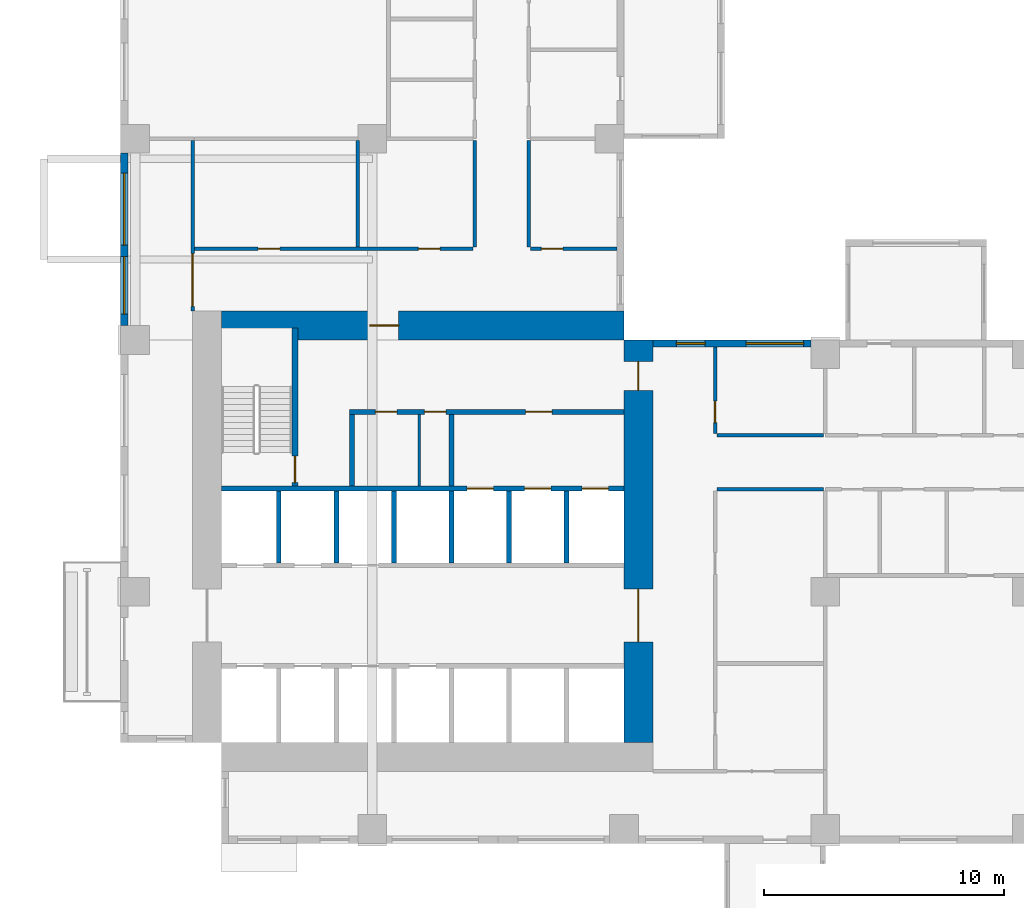
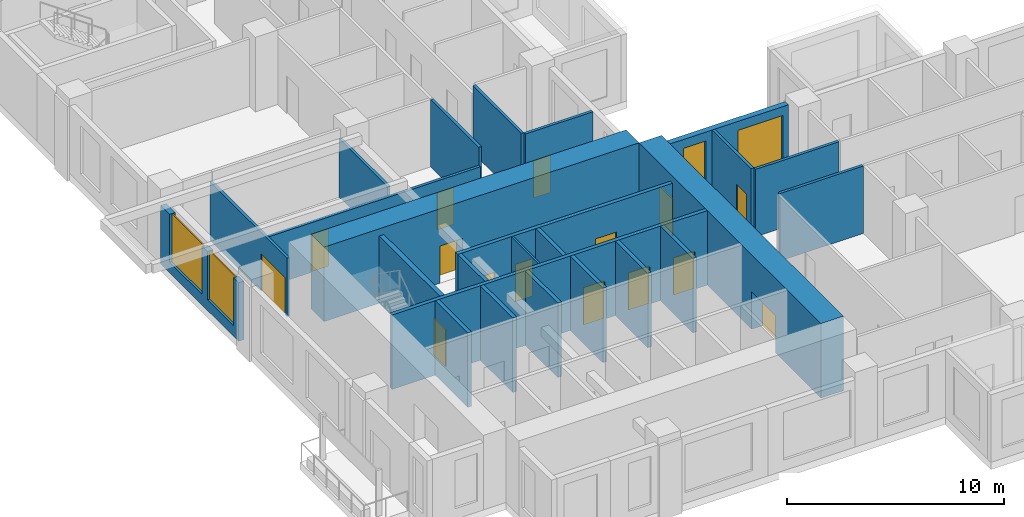
# One storey, part 3 of 15: 25 walls, 15 doors, 4 windows, 19 openings.
"""IFC4 building model written with IfcOpenShell, lengths in metres."""

from ifc_helpers import new_model, si_unit, direction, frame, frame_2d, origin, place, context, subcontext, project, spatial, rectangle, extrude, source, transform, mapped, material, layer, layer_set, type_object, element, fill, save


model = new_model("IFC4")

# Units and contexts
model_context = context("Model", 3, precision=1e-05, world=origin(), true_north=direction((0.0, 1.0)))
body_context = subcontext(model_context, "Body", "Model", "MODEL_VIEW")
ifc_project = project(units=[si_unit("LENGTHUNIT", "METRE"), si_unit("AREAUNIT", "SQUARE_METRE"), si_unit("VOLUMEUNIT", "CUBIC_METRE"), si_unit("PLANEANGLEUNIT", "RADIAN"), si_unit("MASSUNIT", "GRAM", prefix="KILO")], contexts=[model_context])

# Site, building, storey
site_placement = place(None, origin())
site = spatial("IfcSite", under=ifc_project, at=site_placement, CompositionType="ELEMENT")
building_placement = place(site_placement, origin())
building = spatial("IfcBuilding", under=site, at=building_placement, Name="Aurelian Terraces", CompositionType="ELEMENT")
storey_placement = place(building_placement, frame((0.0, 0.0, 82.5)))
storey = spatial("IfcBuildingStorey", under=building, at=storey_placement, Name="L17", CompositionType="ELEMENT", Elevation=82.5)

# Wall, openings, doors
ifc_material_1 = material(Name="Concrete fc' 83 MPa", Category="concrete")
ifc_layer_1 = layer(ifc_material_1, 1.2)
ifc_layer_set_1 = layer_set([ifc_layer_1], Name="CORE WALL 1200 FC83")
wall_type_1 = type_object("IfcWallType", Name="CORE WALL 1200 FC83", PredefinedType="SHEAR", material=ifc_layer_set_1)
shared_shape_1 = source(origin(), body_context, "Body", "SweptSolid", [
    extrude(rectangle(XDim=16.8, YDim=1.2, at=frame_2d((8.4, 0.0))), origin(), (0.0, 0.0, 1.0), 4.2),
])
wall_1_placement = place(storey_placement, frame((21.6, 4.2, 0.0), z_axis=(0.0, 0.0, 1.0), x_axis=(0.0, 1.0, 0.0)))
wall_1 = element("IfcWall", 1, at=wall_1_placement, inside=storey, type_object=wall_type_1, Name="Core wall E L17", PredefinedType="SHEAR", context=body_context, shape_type="MappedRepresentation", body=[
    mapped(shared_shape_1, transform((0.0, 0.0, 0.0), scale=1.0)),
])
shared_shape_2 = source(origin(), body_context, "Body", "SweptSolid", [
    extrude(rectangle(XDim=2.2, YDim=2.1, at=frame_2d((1.1, 1.05))), frame((0.0, 0.61, 0.0), z_axis=(0.0, -1.0, 0.0), x_axis=(1.0, 0.0, 0.0)), (0.0, 0.0, 1.0), 1.22),
])
opening_1_placement = place(wall_1_placement, frame((4.2, 0.0, 0.0)))
opening_1 = element("IfcOpeningElement", 2, at=opening_1_placement, cuts=wall_1, Name="Opening 62020", PredefinedType="OPENING", context=body_context, shape_type="MappedRepresentation", body=[
    mapped(shared_shape_2, transform((0.0, 0.0, 0.0), scale=1.0)),
])
shared_shape_3 = source(origin(), body_context, "Body", "SweptSolid", [
    extrude(rectangle(XDim=1.2, YDim=2.1, at=frame_2d((0.6, 1.05))), frame((0.0, 0.61, 0.0), z_axis=(0.0, -1.0, 0.0), x_axis=(1.0, 0.0, 0.0)), (0.0, 0.0, 1.0), 1.22),
])
opening_2_placement = place(wall_1_placement, frame((14.7, 0.0, 0.0)))
opening_2 = element("IfcOpeningElement", 3, at=opening_2_placement, cuts=wall_1, Name="Opening 62023", PredefinedType="OPENING", context=body_context, shape_type="MappedRepresentation", body=[
    mapped(shared_shape_3, transform((0.0, 0.0, 0.0), scale=1.0)),
])
ifc_material_2 = material(Name="Steel door leaf", Category="steel")
door_type_1 = type_object("IfcDoorType", Name="Core fire door 1200x2100 right", OperationType="SINGLE_SWING_RIGHT", PredefinedType="DOOR", material=ifc_material_2)
shared_shape_4 = source(origin(), body_context, "Body", "SweptSolid", [
    extrude(rectangle(XDim=1.2, YDim=2.1, at=frame_2d((0.6, 1.05))), frame((0.0, 0.025, 0.0), z_axis=(0.0, -1.0, 0.0), x_axis=(1.0, 0.0, 0.0)), (0.0, 0.0, 1.0), 0.05),
])
door_1_placement = place(opening_2_placement, origin())
door_1 = element("IfcDoor", 4, at=door_1_placement, inside=storey, type_object=door_type_1, Name="Core door 62023", OperationType="SINGLE_SWING_RIGHT", OverallHeight=2.1, OverallWidth=1.2, PredefinedType="DOOR", context=body_context, shape_type="MappedRepresentation", body=[
    mapped(shared_shape_4, transform((0.0, 0.0, 0.0), scale=1.0)),
])
fill(opening_2, door_1)
door_type_2 = type_object("IfcDoorType", Name="Core double door 2200x2100", OperationType="DOUBLE_DOOR_SINGLE_SWING", PredefinedType="DOOR", material=ifc_material_2)
shared_shape_5 = source(origin(), body_context, "Body", "SweptSolid", [
    extrude(rectangle(XDim=2.2, YDim=2.1, at=frame_2d((1.1, 1.05))), frame((0.0, 0.025, 0.0), z_axis=(0.0, -1.0, 0.0), x_axis=(1.0, 0.0, 0.0)), (0.0, 0.0, 1.0), 0.05),
])
door_2_placement = place(opening_1_placement, origin())
door_2 = element("IfcDoor", 5, at=door_2_placement, inside=storey, type_object=door_type_2, Name="Core door 62020", OperationType="DOUBLE_DOOR_SINGLE_SWING", OverallHeight=2.1, OverallWidth=2.2, PredefinedType="DOOR", context=body_context, shape_type="MappedRepresentation", body=[
    mapped(shared_shape_5, transform((0.0, 0.0, 0.0), scale=1.0)),
])
fill(opening_1, door_2)

# Wall, opening, door
wall_2_placement = place(storey_placement, frame((4.2, 21.6, 0.0), z_axis=(0.0, 0.0, 1.0), x_axis=(1.0, 0.0, 0.0)))
wall_2 = element("IfcWall", 6, at=wall_2_placement, inside=storey, type_object=wall_type_1, Name="Core wall N L17", PredefinedType="SHEAR", context=body_context, shape_type="MappedRepresentation", body=[
    mapped(shared_shape_1, transform((0.0, 0.0, 0.0), scale=1.0)),
])
opening_3_placement = place(wall_2_placement, frame((6.2, 0.0, 0.0)))
opening_3 = element("IfcOpeningElement", 7, at=opening_3_placement, cuts=wall_2, Name="Opening 62022", PredefinedType="OPENING", context=body_context, shape_type="MappedRepresentation", body=[
    mapped(shared_shape_3, transform((0.0, 0.0, 0.0), scale=1.0)),
])
door_type_3 = type_object("IfcDoorType", Name="Core fire door 1200x2100", OperationType="SINGLE_SWING_LEFT", PredefinedType="DOOR", material=ifc_material_2)
door_3_placement = place(opening_3_placement, origin())
door_3 = element("IfcDoor", 8, at=door_3_placement, inside=storey, type_object=door_type_3, Name="Core door 62022", OperationType="SINGLE_SWING_LEFT", OverallHeight=2.1, OverallWidth=1.2, PredefinedType="DOOR", context=body_context, shape_type="MappedRepresentation", body=[
    mapped(shared_shape_4, transform((0.0, 0.0, 0.0), scale=1.0)),
])
fill(opening_3, door_3)

# Wall, openings, windows
ifc_material_3 = material(Name="Terracotta rainscreen cladding", Category="masonry")
ifc_layer_2 = layer(ifc_material_3, 0.3)
ifc_layer_set_2 = layer_set([ifc_layer_2], Name="EW-300")
wall_type_2 = type_object("IfcWallType", Name="EW-300", PredefinedType="STANDARD", material=ifc_layer_set_2)
shared_shape_6 = source(origin(), body_context, "Body", "SweptSolid", [
    extrude(rectangle(XDim=7.2, YDim=0.3, at=frame_2d((3.6, 0.0))), origin(), (0.0, 0.0, 1.0), 3.3),
])
wall_3_placement = place(storey_placement, frame((0.15, 28.8, 0.0), z_axis=(0.0, 0.0, 1.0), x_axis=(0.0, -1.0, 0.0)))
wall_3 = element("IfcWall", 9, at=wall_3_placement, inside=storey, type_object=wall_type_2, Name="External wall L17 F14.33", PredefinedType="STANDARD", context=body_context, shape_type="MappedRepresentation", body=[
    mapped(shared_shape_6, transform((0.0, 0.0, 0.0), scale=1.0)),
])
shared_shape_7 = source(origin(), body_context, "Body", "SweptSolid", [
    extrude(rectangle(XDim=3.0, YDim=2.7, at=frame_2d((1.5, 1.35))), frame((0.0, 0.16, 0.0), z_axis=(0.0, -1.0, 0.0), x_axis=(1.0, 0.0, 0.0)), (0.0, 0.0, 1.0), 0.32),
])
opening_4_placement = place(wall_3_placement, frame((0.84, 0.0, 0.6)))
opening_4 = element("IfcOpeningElement", 10, at=opening_4_placement, cuts=wall_3, Name="Opening W3027", PredefinedType="OPENING", context=body_context, shape_type="MappedRepresentation", body=[
    mapped(shared_shape_7, transform((0.0, 0.0, 0.0), scale=1.0)),
])
shared_shape_8 = source(origin(), body_context, "Body", "SweptSolid", [
    extrude(rectangle(XDim=2.4, YDim=2.7, at=frame_2d((1.2, 1.35))), frame((0.0, 0.16, 0.0), z_axis=(0.0, -1.0, 0.0), x_axis=(1.0, 0.0, 0.0)), (0.0, 0.0, 1.0), 0.32),
])
opening_5_placement = place(wall_3_placement, frame((4.32, 0.0, 0.6)))
opening_5 = element("IfcOpeningElement", 11, at=opening_5_placement, cuts=wall_3, Name="Opening W2427", PredefinedType="OPENING", context=body_context, shape_type="MappedRepresentation", body=[
    mapped(shared_shape_8, transform((0.0, 0.0, 0.0), scale=1.0)),
])
ifc_material_4 = material(Name="Clear glazing", Category="glass")
window_type_1 = type_object("IfcWindowType", Name="W-2400x2700", PartitioningType="SINGLE_PANEL", PredefinedType="WINDOW", material=ifc_material_4)
shared_shape_9 = source(origin(), body_context, "Body", "SweptSolid", [
    extrude(rectangle(XDim=2.4, YDim=2.7, at=frame_2d((1.2, 1.35))), frame((0.0, 0.03, 0.0), z_axis=(0.0, -1.0, 0.0), x_axis=(1.0, 0.0, 0.0)), (0.0, 0.0, 1.0), 0.06),
])
window_1_placement = place(opening_5_placement, origin())
window_1 = element("IfcWindow", 12, at=window_1_placement, inside=storey, type_object=window_type_1, Name="Window L17 L17-F14-33-G6-288", OverallHeight=2.7, OverallWidth=2.4, PartitioningType="SINGLE_PANEL", PredefinedType="WINDOW", context=body_context, shape_type="MappedRepresentation", body=[
    mapped(shared_shape_9, transform((0.0, 0.0, 0.0), scale=1.0)),
])
fill(opening_5, window_1)
window_type_2 = type_object("IfcWindowType", Name="W-3000x2700", PartitioningType="SINGLE_PANEL", PredefinedType="WINDOW", material=ifc_material_4)
shared_shape_10 = source(origin(), body_context, "Body", "SweptSolid", [
    extrude(rectangle(XDim=3.0, YDim=2.7, at=frame_2d((1.5, 1.35))), frame((0.0, 0.03, 0.0), z_axis=(0.0, -1.0, 0.0), x_axis=(1.0, 0.0, 0.0)), (0.0, 0.0, 1.0), 0.06),
])
window_2_placement = place(opening_4_placement, origin())
window_2 = element("IfcWindow", 13, at=window_2_placement, inside=storey, type_object=window_type_2, Name="Window L17 L17-F14-33-6", OverallHeight=2.7, OverallWidth=3.0, PartitioningType="SINGLE_PANEL", PredefinedType="WINDOW", context=body_context, shape_type="MappedRepresentation", body=[
    mapped(shared_shape_10, transform((0.0, 0.0, 0.0), scale=1.0)),
])
fill(opening_4, window_2)

shared_shape_11 = source(origin(), body_context, "Body", "SweptSolid", [
    extrude(rectangle(XDim=6.6, YDim=0.3, at=frame_2d((3.3, 0.0))), origin(), (0.0, 0.0, 1.0), 3.8),
])
wall_4_placement = place(storey_placement, frame((28.8, 20.85, 0.0), z_axis=(0.0, 0.0, 1.0), x_axis=(-1.0, 0.0, 0.0)))
wall_4 = element("IfcWall", 14, at=wall_4_placement, inside=storey, type_object=wall_type_2, Name="External wall L17 F07.21", PredefinedType="STANDARD", context=body_context, shape_type="MappedRepresentation", body=[
    mapped(shared_shape_11, transform((0.0, 0.0, 0.0), scale=1.0)),
])
opening_6_placement = place(wall_4_placement, frame((0.3, 0.0, 0.6)))
opening_6 = element("IfcOpeningElement", 15, at=opening_6_placement, cuts=wall_4, Name="Opening W2427", PredefinedType="OPENING", context=body_context, shape_type="MappedRepresentation", body=[
    mapped(shared_shape_8, transform((0.0, 0.0, 0.0), scale=1.0)),
])
shared_shape_12 = source(origin(), body_context, "Body", "SweptSolid", [
    extrude(rectangle(XDim=1.2, YDim=2.7, at=frame_2d((0.6, 1.35))), frame((0.0, 0.16, 0.0), z_axis=(0.0, -1.0, 0.0), x_axis=(1.0, 0.0, 0.0)), (0.0, 0.0, 1.0), 0.32),
])
opening_7_placement = place(wall_4_placement, frame((4.4125, 0.0, 0.6)))
opening_7 = element("IfcOpeningElement", 16, at=opening_7_placement, cuts=wall_4, Name="Opening W1227", PredefinedType="OPENING", context=body_context, shape_type="MappedRepresentation", body=[
    mapped(shared_shape_12, transform((0.0, 0.0, 0.0), scale=1.0)),
])
window_3_placement = place(opening_6_placement, origin())
window_3 = element("IfcWindow", 17, at=window_3_placement, inside=storey, type_object=window_type_1, Name="Window L17 L17-F07-21-3", OverallHeight=2.7, OverallWidth=2.4, PartitioningType="SINGLE_PANEL", PredefinedType="WINDOW", context=body_context, shape_type="MappedRepresentation", body=[
    mapped(shared_shape_9, transform((0.0, 0.0, 0.0), scale=1.0)),
])
fill(opening_6, window_3)
window_type_3 = type_object("IfcWindowType", Name="W-1200x2700", PartitioningType="SINGLE_PANEL", PredefinedType="WINDOW", material=ifc_material_4)
shared_shape_13 = source(origin(), body_context, "Body", "SweptSolid", [
    extrude(rectangle(XDim=1.2, YDim=2.7, at=frame_2d((0.6, 1.35))), frame((0.0, 0.03, 0.0), z_axis=(0.0, -1.0, 0.0), x_axis=(1.0, 0.0, 0.0)), (0.0, 0.0, 1.0), 0.06),
])
window_4_placement = place(opening_7_placement, origin())
window_4 = element("IfcWindow", 18, at=window_4_placement, inside=storey, type_object=window_type_3, Name="Window L17 L17-F07-21-G2-201", OverallHeight=2.7, OverallWidth=1.2, PartitioningType="SINGLE_PANEL", PredefinedType="WINDOW", context=body_context, shape_type="MappedRepresentation", body=[
    mapped(shared_shape_13, transform((0.0, 0.0, 0.0), scale=1.0)),
])
fill(opening_7, window_4)

# Walls
ifc_material_5 = material(Name="Concrete fc' 40 MPa", Category="concrete")
ifc_layer_3 = layer(ifc_material_5, 0.2)
ifc_layer_set_3 = layer_set([ifc_layer_3], Name="Lift shaft wall 200")
wall_type_3 = type_object("IfcWallType", Name="Lift shaft wall 200", PredefinedType="SOLIDWALL", material=ifc_layer_set_3)
shared_shape_14 = source(origin(), body_context, "Body", "SweptSolid", [
    extrude(rectangle(XDim=3.0, YDim=0.2, at=frame_2d((1.5, 0.0))), origin(), (0.0, 0.0, 1.0), 4.2),
])
for number, where, z_axis, x_axis, name in (
    (19, (6.6, 11.7, 0.0), (0.0, 0.0, 1.0), (0.0, 1.0, 0.0), "L17 core wall CD-B1"),
    (20, (9.0, 11.7, 0.0), (0.0, 0.0, 1.0), (0.0, 1.0, 0.0), "L17 core wall CD-B2"),
    (21, (11.4, 11.7, 0.0), (0.0, 0.0, 1.0), (0.0, 1.0, 0.0), "L17 core wall CD-B3"),
    (22, (13.8, 11.7, 0.0), (0.0, 0.0, 1.0), (0.0, 1.0, 0.0), "L17 core wall CD-B4"),
    (23, (16.2, 11.7, 0.0), (0.0, 0.0, 1.0), (0.0, 1.0, 0.0), "L17 core wall CD-B5"),
    (24, (18.6, 11.7, 0.0), (0.0, 0.0, 1.0), (0.0, 1.0, 0.0), "L17 core wall CD-B6"),
):
    element("IfcWall", number, at=place(storey_placement, frame(where, z_axis=z_axis, x_axis=x_axis)), inside=storey, type_object=wall_type_3, Name=name, PredefinedType="SOLIDWALL", context=body_context, shape_type="MappedRepresentation", body=[
        mapped(shared_shape_14, transform((0.0, 0.0, 0.0), scale=1.0)),
    ])

# Wall, openings, doors
shared_shape_15 = source(origin(), body_context, "Body", "SweptSolid", [
    extrude(rectangle(XDim=16.8, YDim=0.2, at=frame_2d((8.4, 0.0))), origin(), (0.0, 0.0, 1.0), 4.2),
])
wall_5_placement = place(storey_placement, frame((4.2, 14.8, 0.0), z_axis=(0.0, 0.0, 1.0), x_axis=(1.0, 0.0, 0.0)))
wall_5 = element("IfcWall", 25, at=wall_5_placement, inside=storey, type_object=wall_type_3, Name="L17 core wall CF-BB1", PredefinedType="SOLIDWALL", context=body_context, shape_type="MappedRepresentation", body=[
    mapped(shared_shape_15, transform((0.0, 0.0, 0.0), scale=1.0)),
])
shared_shape_16 = source(origin(), body_context, "Body", "SweptSolid", [
    extrude(rectangle(XDim=1.1, YDim=2.1, at=frame_2d((0.55, 1.05))), frame((0.0, 0.11, 0.0), z_axis=(0.0, -1.0, 0.0), x_axis=(1.0, 0.0, 0.0)), (0.0, 0.0, 1.0), 0.22),
])
opening_8_placement = place(wall_5_placement, frame((10.25, 0.0, 0.0)))
opening_8 = element("IfcOpeningElement", 26, at=opening_8_placement, cuts=wall_5, Name="Opening 62007", PredefinedType="OPENING", context=body_context, shape_type="MappedRepresentation", body=[
    mapped(shared_shape_16, transform((0.0, 0.0, 0.0), scale=1.0)),
])
opening_9_placement = place(wall_5_placement, frame((12.65, 0.0, 0.0)))
opening_9 = element("IfcOpeningElement", 27, at=opening_9_placement, cuts=wall_5, Name="Opening 62008", PredefinedType="OPENING", context=body_context, shape_type="MappedRepresentation", body=[
    mapped(shared_shape_16, transform((0.0, 0.0, 0.0), scale=1.0)),
])
opening_10_placement = place(wall_5_placement, frame((15.05, 0.0, 0.0)))
opening_10 = element("IfcOpeningElement", 28, at=opening_10_placement, cuts=wall_5, Name="Opening 62009", PredefinedType="OPENING", context=body_context, shape_type="MappedRepresentation", body=[
    mapped(shared_shape_16, transform((0.0, 0.0, 0.0), scale=1.0)),
])
ifc_material_6 = material(Name="Stainless steel", Category="steel")
door_type_4 = type_object("IfcDoorType", Name="Lift landing door 1100x2100", OperationType="SLIDING_TO_LEFT", PredefinedType="DOOR", material=ifc_material_6)
shared_shape_17 = source(origin(), body_context, "Body", "SweptSolid", [
    extrude(rectangle(XDim=1.1, YDim=2.1, at=frame_2d((0.55, 1.05))), frame((0.0, 0.025, 0.0), z_axis=(0.0, -1.0, 0.0), x_axis=(1.0, 0.0, 0.0)), (0.0, 0.0, 1.0), 0.05),
])
door_4_placement = place(opening_8_placement, origin())
door_4 = element("IfcDoor", 29, at=door_4_placement, inside=storey, type_object=door_type_4, Name="Lift landing door F1 L17", OperationType="SLIDING_TO_LEFT", OverallHeight=2.1, OverallWidth=1.1, PredefinedType="DOOR", context=body_context, shape_type="MappedRepresentation", body=[
    mapped(shared_shape_17, transform((0.0, 0.0, 0.0), scale=1.0)),
])
fill(opening_8, door_4)
door_5_placement = place(opening_9_placement, origin())
door_5 = element("IfcDoor", 30, at=door_5_placement, inside=storey, type_object=door_type_4, Name="Lift landing door F2 L17", OperationType="SLIDING_TO_LEFT", OverallHeight=2.1, OverallWidth=1.1, PredefinedType="DOOR", context=body_context, shape_type="MappedRepresentation", body=[
    mapped(shared_shape_17, transform((0.0, 0.0, 0.0), scale=1.0)),
])
fill(opening_9, door_5)
door_6_placement = place(opening_10_placement, origin())
door_6 = element("IfcDoor", 31, at=door_6_placement, inside=storey, type_object=door_type_4, Name="Lift landing door F3 L17", OperationType="SLIDING_TO_LEFT", OverallHeight=2.1, OverallWidth=1.1, PredefinedType="DOOR", context=body_context, shape_type="MappedRepresentation", body=[
    mapped(shared_shape_17, transform((0.0, 0.0, 0.0), scale=1.0)),
])
fill(opening_10, door_6)

# Walls
ifc_material_7 = material(Name="Gypsum board on steel studs", Category="steel")
ifc_layer_4 = layer(ifc_material_7, 0.2)
ifc_layer_set_4 = layer_set([ifc_layer_4], Name="Core partition 200")
wall_type_4 = type_object("IfcWallType", Name="Core partition 200", PredefinedType="PARTITIONING", material=ifc_layer_set_4)
shared_shape_18 = source(origin(), body_context, "Body", "SweptSolid", [
    extrude(rectangle(XDim=3.0, YDim=0.2, at=frame_2d((1.5, 0.0))), origin(), (0.0, 0.0, 1.0), 3.8),
])
for number, where, z_axis, x_axis, name in (
    (32, (9.65, 14.9, 0.0), (0.0, 0.0, 1.0), (0.0, 1.0, 0.0), "L17 core wall CP-VEST"),
    (33, (13.8, 14.9, 0.0), (0.0, 0.0, 1.0), (0.0, 1.0, 0.0), "L17 core wall CP-FFL"),
):
    element("IfcWall", number, at=place(storey_placement, frame(where, z_axis=z_axis, x_axis=x_axis)), inside=storey, type_object=wall_type_4, Name=name, PredefinedType="PARTITIONING", context=body_context, shape_type="MappedRepresentation", body=[
        mapped(shared_shape_18, transform((0.0, 0.0, 0.0), scale=1.0)),
    ])
ifc_layer_5 = layer(ifc_material_7, 0.1)
ifc_layer_set_5 = layer_set([ifc_layer_5], Name="Core partition 100")
wall_type_5 = type_object("IfcWallType", Name="Core partition 100", PredefinedType="PARTITIONING", material=ifc_layer_set_5)
shared_shape_19 = source(origin(), body_context, "Body", "SweptSolid", [
    extrude(rectangle(XDim=3.0, YDim=0.1, at=frame_2d((1.5, 0.0))), origin(), (0.0, 0.0, 1.0), 3.8),
])
wall_6_placement = place(storey_placement, frame((12.45, 14.9, 0.0), z_axis=(0.0, 0.0, 1.0), x_axis=(0.0, 1.0, 0.0)))
element("IfcWall", 34, at=wall_6_placement, inside=storey, type_object=wall_type_5, Name="L17 core wall CP-SV1", PredefinedType="PARTITIONING", context=body_context, shape_type="MappedRepresentation", body=[
    mapped(shared_shape_19, transform((0.0, 0.0, 0.0), scale=1.0)),
])

# Wall, opening, door
ifc_layer_6 = layer(ifc_material_5, 0.25)
ifc_layer_set_6 = layer_set([ifc_layer_6], Name="Stair enclosure wall 250")
wall_type_6 = type_object("IfcWallType", Name="Stair enclosure wall 250", PredefinedType="SOLIDWALL", material=ifc_layer_set_6)
shared_shape_20 = source(origin(), body_context, "Body", "SweptSolid", [
    extrude(rectangle(XDim=6.6, YDim=0.25, at=frame_2d((3.3, 0.0))), origin(), (0.0, 0.0, 1.0), 3.8),
])
wall_7_placement = place(storey_placement, frame((7.275, 14.9, 0.0), z_axis=(0.0, 0.0, 1.0), x_axis=(0.0, 1.0, 0.0)))
wall_7 = element("IfcWall", 35, at=wall_7_placement, inside=storey, type_object=wall_type_6, Name="L17 core wall ST-S1-E", PredefinedType="SOLIDWALL", context=body_context, shape_type="MappedRepresentation", body=[
    mapped(shared_shape_20, transform((0.0, 0.0, 0.0), scale=1.0)),
])
shared_shape_21 = source(origin(), body_context, "Body", "SweptSolid", [
    extrude(rectangle(XDim=1.1, YDim=2.1, at=frame_2d((0.55, 1.05))), frame((0.0, 0.135, 0.0), z_axis=(0.0, -1.0, 0.0), x_axis=(1.0, 0.0, 0.0)), (0.0, 0.0, 1.0), 0.27),
])
opening_11_placement = place(wall_7_placement, frame((0.15, 0.0, 0.0)))
opening_11 = element("IfcOpeningElement", 36, at=opening_11_placement, cuts=wall_7, Name="Opening 62010", PredefinedType="OPENING", context=body_context, shape_type="MappedRepresentation", body=[
    mapped(shared_shape_21, transform((0.0, 0.0, 0.0), scale=1.0)),
])
door_type_5 = type_object("IfcDoorType", Name="Core fire door 1100x2100", OperationType="SINGLE_SWING_LEFT", PredefinedType="DOOR", material=ifc_material_2)
door_7_placement = place(opening_11_placement, origin())
door_7 = element("IfcDoor", 37, at=door_7_placement, inside=storey, type_object=door_type_5, Name="Stair door 62010", OperationType="SINGLE_SWING_LEFT", OverallHeight=2.1, OverallWidth=1.1, PredefinedType="DOOR", context=body_context, shape_type="MappedRepresentation", body=[
    mapped(shared_shape_17, transform((0.0, 0.0, 0.0), scale=1.0)),
])
fill(opening_11, door_7)

# Wall, openings, doors
shared_shape_22 = source(origin(), body_context, "Body", "SweptSolid", [
    extrude(rectangle(XDim=11.45, YDim=0.2, at=frame_2d((5.725, 0.0))), origin(), (0.0, 0.0, 1.0), 3.8),
])
wall_8_placement = place(storey_placement, frame((9.55, 18.0, 0.0), z_axis=(0.0, 0.0, 1.0), x_axis=(1.0, 0.0, 0.0)))
wall_8 = element("IfcWall", 38, at=wall_8_placement, inside=storey, type_object=wall_type_4, Name="L17 core wall CP-NORTH", PredefinedType="PARTITIONING", context=body_context, shape_type="MappedRepresentation", body=[
    mapped(shared_shape_22, transform((0.0, 0.0, 0.0), scale=1.0)),
])
shared_shape_23 = source(origin(), body_context, "Body", "SweptSolid", [
    extrude(rectangle(XDim=0.9, YDim=2.1, at=frame_2d((0.45, 1.05))), frame((0.0, 0.11, 0.0), z_axis=(0.0, -1.0, 0.0), x_axis=(1.0, 0.0, 0.0)), (0.0, 0.0, 1.0), 0.22),
])
opening_12_placement = place(wall_8_placement, frame((1.075, 0.0, 0.0)))
opening_12 = element("IfcOpeningElement", 39, at=opening_12_placement, cuts=wall_8, Name="Opening 62011", PredefinedType="OPENING", context=body_context, shape_type="MappedRepresentation", body=[
    mapped(shared_shape_23, transform((0.0, 0.0, 0.0), scale=1.0)),
])
opening_13_placement = place(wall_8_placement, frame((3.125, 0.0, 0.0)))
opening_13 = element("IfcOpeningElement", 40, at=opening_13_placement, cuts=wall_8, Name="Opening 62012", PredefinedType="OPENING", context=body_context, shape_type="MappedRepresentation", body=[
    mapped(shared_shape_23, transform((0.0, 0.0, 0.0), scale=1.0)),
])
opening_14_placement = place(wall_8_placement, frame((7.35, 0.0, 0.0)))
opening_14 = element("IfcOpeningElement", 41, at=opening_14_placement, cuts=wall_8, Name="Opening 62013", PredefinedType="OPENING", context=body_context, shape_type="MappedRepresentation", body=[
    mapped(shared_shape_16, transform((0.0, 0.0, 0.0), scale=1.0)),
])
door_type_6 = type_object("IfcDoorType", Name="Core service door 900x2100 right", OperationType="SINGLE_SWING_RIGHT", PredefinedType="DOOR", material=ifc_material_2)
shared_shape_24 = source(origin(), body_context, "Body", "SweptSolid", [
    extrude(rectangle(XDim=0.9, YDim=2.1, at=frame_2d((0.45, 1.05))), frame((0.0, 0.025, 0.0), z_axis=(0.0, -1.0, 0.0), x_axis=(1.0, 0.0, 0.0)), (0.0, 0.0, 1.0), 0.05),
])
door_8_placement = place(opening_12_placement, origin())
door_8 = element("IfcDoor", 42, at=door_8_placement, inside=storey, type_object=door_type_6, Name="Room door 62011", OperationType="SINGLE_SWING_RIGHT", OverallHeight=2.1, OverallWidth=0.9, PredefinedType="DOOR", context=body_context, shape_type="MappedRepresentation", body=[
    mapped(shared_shape_24, transform((0.0, 0.0, 0.0), scale=1.0)),
])
fill(opening_12, door_8)
door_type_7 = type_object("IfcDoorType", Name="Core riser door 900x2100", OperationType="SINGLE_SWING_LEFT", PredefinedType="DOOR", material=ifc_material_2)
door_9_placement = place(opening_13_placement, origin())
door_9 = element("IfcDoor", 43, at=door_9_placement, inside=storey, type_object=door_type_7, Name="Room door 62012", OperationType="SINGLE_SWING_LEFT", OverallHeight=2.1, OverallWidth=0.9, PredefinedType="DOOR", context=body_context, shape_type="MappedRepresentation", body=[
    mapped(shared_shape_24, transform((0.0, 0.0, 0.0), scale=1.0)),
])
fill(opening_13, door_9)
door_type_8 = type_object("IfcDoorType", Name="Core fire door 1100x2100 right", OperationType="SINGLE_SWING_RIGHT", PredefinedType="DOOR", material=ifc_material_2)
door_10_placement = place(opening_14_placement, origin())
door_10 = element("IfcDoor", 44, at=door_10_placement, inside=storey, type_object=door_type_8, Name="Ff lobby door 62013", OperationType="SINGLE_SWING_RIGHT", OverallHeight=2.1, OverallWidth=1.1, PredefinedType="DOOR", context=body_context, shape_type="MappedRepresentation", body=[
    mapped(shared_shape_17, transform((0.0, 0.0, 0.0), scale=1.0)),
])
fill(opening_14, door_10)

# Wall, opening, door
ifc_layer_7 = layer(ifc_material_7, 0.15)
ifc_layer_set_7 = layer_set([ifc_layer_7], Name="Partition 150")
wall_type_7 = type_object("IfcWallType", Name="Partition 150", PredefinedType="PARTITIONING", material=ifc_layer_set_7)
shared_shape_25 = source(origin(), body_context, "Body", "SweptSolid", [
    extrude(rectangle(XDim=3.6, YDim=0.15, at=frame_2d((1.8, 0.0))), origin(), (0.0, 0.0, 1.0), 3.8),
])
wall_9_placement = place(storey_placement, frame((24.8, 20.7, 0.0), z_axis=(0.0, 0.0, 1.0), x_axis=(0.0, -1.0, 0.0)))
wall_9 = element("IfcWall", 45, at=wall_9_placement, inside=storey, type_object=wall_type_7, Name="Partition", PredefinedType="PARTITIONING", context=body_context, shape_type="MappedRepresentation", body=[
    mapped(shared_shape_25, transform((0.0, 0.0, 0.0), scale=1.0)),
])
shared_shape_26 = source(origin(), body_context, "Body", "SweptSolid", [
    extrude(rectangle(XDim=0.9, YDim=2.1, at=frame_2d((0.45, 1.05))), frame((0.0, 0.085, 0.0), z_axis=(0.0, -1.0, 0.0), x_axis=(1.0, 0.0, 0.0)), (0.0, 0.0, 1.0), 0.17),
])
opening_15_placement = place(wall_9_placement, frame((2.25, 0.0, 0.0)))
opening_15 = element("IfcOpeningElement", 46, at=opening_15_placement, cuts=wall_9, Name="Opening 717003", PredefinedType="OPENING", context=body_context, shape_type="MappedRepresentation", body=[
    mapped(shared_shape_26, transform((0.0, 0.0, 0.0), scale=1.0)),
])
ifc_material_8 = material(Name="Timber door leaf", Category="wood")
door_type_9 = type_object("IfcDoorType", Name="Room door 900x2100 right", OperationType="SINGLE_SWING_RIGHT", PredefinedType="DOOR", material=ifc_material_8)
door_11_placement = place(opening_15_placement, origin())
door_11 = element("IfcDoor", 47, at=door_11_placement, inside=storey, type_object=door_type_9, Name="Door 717003", OperationType="SINGLE_SWING_RIGHT", OverallHeight=2.1, OverallWidth=0.9, PredefinedType="DOOR", context=body_context, shape_type="MappedRepresentation", body=[
    mapped(shared_shape_24, transform((0.0, 0.0, 0.0), scale=1.0)),
])
fill(opening_15, door_11)

wall_10_placement = place(storey_placement, frame((17.1, 24.8, 0.0), z_axis=(0.0, 0.0, 1.0), x_axis=(1.0, 0.0, 0.0)))
wall_10 = element("IfcWall", 48, at=wall_10_placement, inside=storey, type_object=wall_type_7, Name="Partition", PredefinedType="PARTITIONING", context=body_context, shape_type="MappedRepresentation", body=[
    mapped(shared_shape_25, transform((0.0, 0.0, 0.0), scale=1.0)),
])
opening_16_placement = place(wall_10_placement, frame((0.45, 0.0, 0.0)))
opening_16 = element("IfcOpeningElement", 49, at=opening_16_placement, cuts=wall_10, Name="Opening 717030", PredefinedType="OPENING", context=body_context, shape_type="MappedRepresentation", body=[
    mapped(shared_shape_26, transform((0.0, 0.0, 0.0), scale=1.0)),
])
door_12_placement = place(opening_16_placement, origin())
door_12 = element("IfcDoor", 50, at=door_12_placement, inside=storey, type_object=door_type_9, Name="Door 717030", OperationType="SINGLE_SWING_RIGHT", OverallHeight=2.1, OverallWidth=0.9, PredefinedType="DOOR", context=body_context, shape_type="MappedRepresentation", body=[
    mapped(shared_shape_24, transform((0.0, 0.0, 0.0), scale=1.0)),
])
fill(opening_16, door_12)

shared_shape_27 = source(origin(), body_context, "Body", "SweptSolid", [
    extrude(rectangle(XDim=7.125, YDim=0.15, at=frame_2d((3.5625, 0.0))), origin(), (0.0, 0.0, 1.0), 3.3),
])
wall_11_placement = place(storey_placement, frame((3.0, 29.325, 0.0), z_axis=(0.0, 0.0, 1.0), x_axis=(0.0, -1.0, 0.0)))
wall_11 = element("IfcWall", 51, at=wall_11_placement, inside=storey, type_object=wall_type_7, Name="Partition", PredefinedType="PARTITIONING", context=body_context, shape_type="MappedRepresentation", body=[
    mapped(shared_shape_27, transform((0.0, 0.0, 0.0), scale=1.0)),
])
shared_shape_28 = source(origin(), body_context, "Body", "SweptSolid", [
    extrude(rectangle(XDim=2.2, YDim=2.1, at=frame_2d((1.1, 1.05))), frame((0.0, 0.085, 0.0), z_axis=(0.0, -1.0, 0.0), x_axis=(1.0, 0.0, 0.0)), (0.0, 0.0, 1.0), 0.17),
])
opening_17_placement = place(wall_11_placement, frame((4.725, 0.0, 0.0)))
opening_17 = element("IfcOpeningElement", 52, at=opening_17_placement, cuts=wall_11, Name="Opening 717031", PredefinedType="OPENING", context=body_context, shape_type="MappedRepresentation", body=[
    mapped(shared_shape_28, transform((0.0, 0.0, 0.0), scale=1.0)),
])
door_type_10 = type_object("IfcDoorType", Name="Double room door 2200x2100", OperationType="DOUBLE_DOOR_SINGLE_SWING", PredefinedType="DOOR", material=ifc_material_8)
door_13_placement = place(opening_17_placement, origin())
door_13 = element("IfcDoor", 53, at=door_13_placement, inside=storey, type_object=door_type_10, Name="Door 717031", OperationType="DOUBLE_DOOR_SINGLE_SWING", OverallHeight=2.1, OverallWidth=2.2, PredefinedType="DOOR", context=body_context, shape_type="MappedRepresentation", body=[
    mapped(shared_shape_5, transform((0.0, 0.0, 0.0), scale=1.0)),
])
fill(opening_17, door_13)

# Wall, openings, doors
shared_shape_29 = source(origin(), body_context, "Body", "SweptSolid", [
    extrude(rectangle(XDim=11.625, YDim=0.15, at=frame_2d((5.8125, 0.0))), origin(), (0.0, 0.0, 1.0), 2.8),
])
wall_12_placement = place(storey_placement, frame((3.075, 24.8, 0.0), z_axis=(0.0, 0.0, 1.0), x_axis=(1.0, 0.0, 0.0)))
wall_12 = element("IfcWall", 54, at=wall_12_placement, inside=storey, type_object=wall_type_7, Name="Partition", PredefinedType="PARTITIONING", context=body_context, shape_type="MappedRepresentation", body=[
    mapped(shared_shape_29, transform((0.0, 0.0, 0.0), scale=1.0)),
])
opening_18_placement = place(wall_12_placement, frame((2.6625, 0.0, 0.0)))
opening_18 = element("IfcOpeningElement", 55, at=opening_18_placement, cuts=wall_12, Name="Opening 717028", PredefinedType="OPENING", context=body_context, shape_type="MappedRepresentation", body=[
    mapped(shared_shape_26, transform((0.0, 0.0, 0.0), scale=1.0)),
])
opening_19_placement = place(wall_12_placement, frame((9.35, 0.0, 0.0)))
opening_19 = element("IfcOpeningElement", 56, at=opening_19_placement, cuts=wall_12, Name="Opening 717029", PredefinedType="OPENING", context=body_context, shape_type="MappedRepresentation", body=[
    mapped(shared_shape_26, transform((0.0, 0.0, 0.0), scale=1.0)),
])
door_14_placement = place(opening_18_placement, origin())
door_14 = element("IfcDoor", 57, at=door_14_placement, inside=storey, type_object=door_type_9, Name="Door 717028", OperationType="SINGLE_SWING_RIGHT", OverallHeight=2.1, OverallWidth=0.9, PredefinedType="DOOR", context=body_context, shape_type="MappedRepresentation", body=[
    mapped(shared_shape_24, transform((0.0, 0.0, 0.0), scale=1.0)),
])
fill(opening_18, door_14)
door_type_11 = type_object("IfcDoorType", Name="Room door 900x2100 left", OperationType="SINGLE_SWING_LEFT", PredefinedType="DOOR", material=ifc_material_8)
door_15_placement = place(opening_19_placement, origin())
door_15 = element("IfcDoor", 58, at=door_15_placement, inside=storey, type_object=door_type_11, Name="Door 717029", OperationType="SINGLE_SWING_LEFT", OverallHeight=2.1, OverallWidth=0.9, PredefinedType="DOOR", context=body_context, shape_type="MappedRepresentation", body=[
    mapped(shared_shape_24, transform((0.0, 0.0, 0.0), scale=1.0)),
])
fill(opening_19, door_15)

# Walls
ifc_layer_8 = layer(ifc_material_7, 0.15)
ifc_layer_set_8 = layer_set([ifc_layer_8], Name="Fire partition 150")
wall_type_8 = type_object("IfcWallType", Name="Fire partition 150", PredefinedType="PARTITIONING", material=ifc_layer_set_8)
shared_shape_30 = source(origin(), body_context, "Body", "SweptSolid", [
    extrude(rectangle(XDim=4.45, YDim=0.15, at=frame_2d((2.225, 0.0))), origin(), (0.0, 0.0, 1.0), 3.8),
])
for number, where, z_axis, x_axis, name in (
    (59, (29.325, 14.775, 0.0), (0.0, 0.0, 1.0), (-1.0, 0.0, 0.0), "Corridor wall"),
    (60, (24.875, 17.025, 0.0), (0.0, 0.0, 1.0), (1.0, 0.0, 0.0), "Corridor wall"),
    (61, (14.775, 24.875, 0.0), (0.0, 0.0, 1.0), (0.0, 1.0, 0.0), "Corridor wall"),
    (62, (17.025, 29.325, 0.0), (0.0, 0.0, 1.0), (0.0, -1.0, 0.0), "Corridor wall"),
):
    element("IfcWall", number, at=place(storey_placement, frame(where, z_axis=z_axis, x_axis=x_axis)), inside=storey, type_object=wall_type_8, Name=name, PredefinedType="PARTITIONING", context=body_context, shape_type="MappedRepresentation", body=[
        mapped(shared_shape_30, transform((0.0, 0.0, 0.0), scale=1.0)),
    ])
shared_shape_31 = source(origin(), body_context, "Body", "SweptSolid", [
    extrude(rectangle(XDim=4.45, YDim=0.15, at=frame_2d((2.225, 0.0))), origin(), (0.0, 0.0, 1.0), 3.3),
])
wall_13_placement = place(storey_placement, frame((9.9, 24.875, 0.0), z_axis=(0.0, 0.0, 1.0), x_axis=(0.0, 1.0, 0.0)))
element("IfcWall", 63, at=wall_13_placement, inside=storey, type_object=wall_type_7, Name="Partition", PredefinedType="PARTITIONING", context=body_context, shape_type="MappedRepresentation", body=[
    mapped(shared_shape_31, transform((0.0, 0.0, 0.0), scale=1.0)),
])

save(model, "model.ifc")
